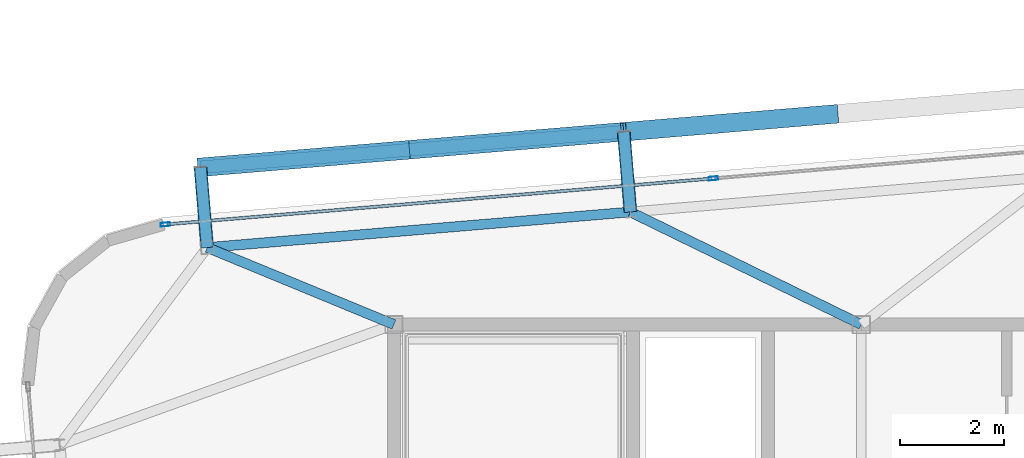
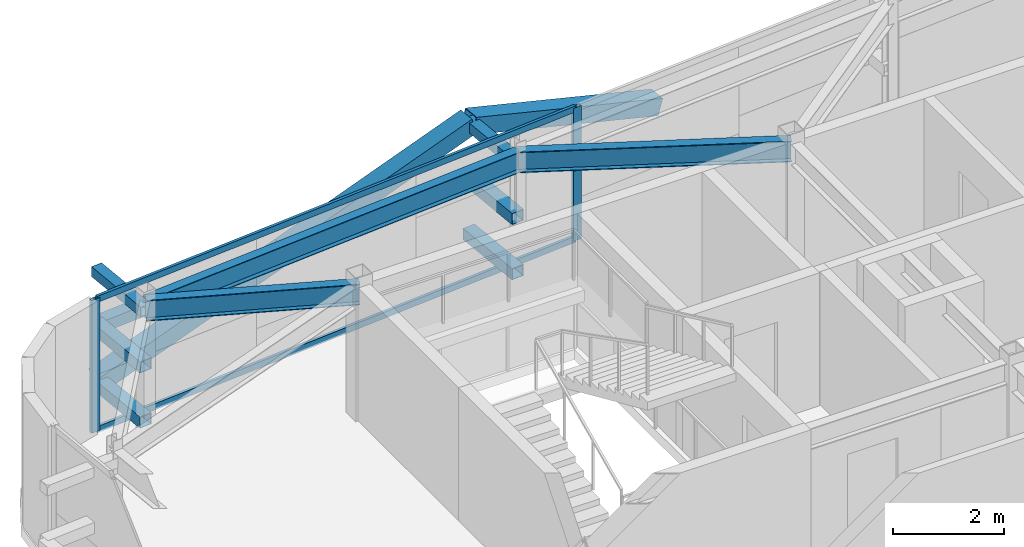
# One storey, part 21 of 39: 14 members, 3 beams, 1 element without a shape of its own.
"""IFC4 building model written with IfcOpenShell, lengths in metres."""

from ifc_helpers import new_model, si_unit, direction, frame, origin, origin_2d, place, context, subcontext, project, spatial, hollow_rectangle, i_section, extrude, source, transform, mapped, material, layer, layer_set, material_profile, profile_set, type_object, element, aggregate, save


model = new_model("IFC4")

# Units and contexts
model_context = context("Model", 3, precision=1e-05, world=origin(), true_north=direction((0.0, 1.0)))
body_context = subcontext(model_context, "Body", "Model", "MODEL_VIEW")
ifc_project = project(units=[si_unit("LENGTHUNIT", "METRE"), si_unit("AREAUNIT", "SQUARE_METRE"), si_unit("VOLUMEUNIT", "CUBIC_METRE"), si_unit("PLANEANGLEUNIT", "RADIAN"), si_unit("MASSUNIT", "GRAM", prefix="KILO")], contexts=[model_context])

# Site, building, storey
site_placement = place(None, origin())
site = spatial("IfcSite", under=ifc_project, at=site_placement, CompositionType="ELEMENT")
building_placement = place(site_placement, origin())
building = spatial("IfcBuilding", under=site, at=building_placement, Name="Taldren Reach Tower", CompositionType="ELEMENT")
storey_placement = place(building_placement, frame((0.0, 0.0, 178.85009765625)))
storey = spatial("IfcBuildingStorey", under=building, at=storey_placement, Name="L54", CompositionType="ELEMENT", Elevation=178.85009765625)

# Members
ifc_material_1 = material(Name="Steel Gr 350 (C350L0)", Category="steel")
ifc_material_profile_1 = material_profile(ifc_material_1, hollow_rectangle(XDim=0.25, YDim=0.25, WallThickness=0.010009765625, at=origin_2d()), Name="250x250x10.0SHS")
ifc_profile_set_1 = profile_set([ifc_material_profile_1], Name="Steel Gr 350 (C350L0)")
member_type_1 = type_object("IfcMemberType", Name="MB-POST250", PredefinedType="POST", material=ifc_profile_set_1)
shared_shape_1 = source(origin(), body_context, "Body", "SweptSolid", [
    extrude(hollow_rectangle(XDim=0.25, YDim=0.25, WallThickness=0.010009765625, at=origin_2d()), origin(), (0.0, 0.0, 1.0), 1.5498046875),
])
for number, where, z_axis, x_axis, name in (
    (1, (15.40380859375, 33.483642578125, 0.219970703125), (-0.083645141657, 0.996495604746, 0.0), (-0.996495604746, -0.083645141657, 0.0), "Exoskeleton base diaphragm tie strut B4-N1 L54"),
    (2, (15.40380859375, 33.483642578125, 1.434814453125), (-0.083645141657, 0.996495604746, 0.0), (-0.996495604746, -0.083645141657, 0.0), "Exoskeleton mid-tier diaphragm tie B4-N1 L54"),
):
    element("IfcMember", number, at=place(storey_placement, frame(where, z_axis=z_axis, x_axis=x_axis)), inside=storey, type_object=member_type_1, Name=name, PredefinedType="POST", context=body_context, shape_type="MappedRepresentation", body=[
        mapped(shared_shape_1, transform((0.0, 0.0, 0.0), scale=1.0)),
    ])
shared_shape_2 = source(origin(), body_context, "Body", "SweptSolid", [
    extrude(hollow_rectangle(XDim=0.25, YDim=0.25, WallThickness=0.010009765625, at=origin_2d()), origin(), (0.0, 0.0, 1.0), 1.550048828125),
])
for number, where, z_axis, x_axis, name in (
    (3, (23.55517578125, 34.16796875, 0.219970703125), (-0.083788408178, 0.996483568683, 0.0), (-0.996483568683, -0.083788408178, 0.0), "Exoskeleton base diaphragm tie strut B4-N2 L54"),
    (4, (23.55517578125, 34.16796875, 1.434814453125), (-0.083788408178, 0.996483568683, 0.0), (-0.996483568683, -0.083788408178, 0.0), "Exoskeleton mid-tier diaphragm tie B4-N2 L54"),
):
    element("IfcMember", number, at=place(storey_placement, frame(where, z_axis=z_axis, x_axis=x_axis)), inside=storey, type_object=member_type_1, Name=name, PredefinedType="POST", context=body_context, shape_type="MappedRepresentation", body=[
        mapped(shared_shape_2, transform((0.0, 0.0, 0.0), scale=1.0)),
    ])

# Beams
ifc_material_2 = material(Name="Steel Gr 350 (350PLUS)", Category="steel")
ifc_material_profile_2 = material_profile(ifc_material_2, i_section(OverallWidth=0.18994140625, OverallDepth=0.4541015625, WebThickness=0.008544921875, FlangeThickness=0.0126953125, at=origin_2d()), Name="460UB67.1")
ifc_profile_set_2 = profile_set([ifc_material_profile_2], Name="Steel Gr 350 (350PLUS)")
beam_type_1 = type_object("IfcBeamType", Name="SP-UB460B", PredefinedType="SPANDREL", material=ifc_profile_set_2)
shared_shape_3 = source(origin(), body_context, "Body", "SweptSolid", [
    extrude(i_section(OverallWidth=0.18994140625, OverallDepth=0.4541015625, WebThickness=0.008544921875, FlangeThickness=0.0126953125, at=origin_2d()), origin(), (0.0, 0.0, 1.0), 8.179931640625),
])
beam_1_placement = place(storey_placement, frame((23.55517578125, 34.16796875, 2.702880859375), z_axis=(-0.996494523218, -0.083658025296, 0.0), x_axis=(0.083658025296, -0.996494523218, 0.0)))
element("IfcBeam", 5, at=beam_1_placement, inside=storey, type_object=beam_type_1, Name="Perimeter spandrel B4 N2-N1 L54", PredefinedType="SPANDREL", context=body_context, shape_type="MappedRepresentation", body=[
    mapped(shared_shape_3, transform((0.0, 0.0, 0.0), scale=1.0)),
])
ifc_material_profile_3 = material_profile(ifc_material_2, i_section(OverallWidth=0.19091796875, OverallDepth=0.4599609375, WebThickness=0.010009765625, FlangeThickness=0.01611328125, at=origin_2d()), Name="460UB82.1")
ifc_profile_set_3 = profile_set([ifc_material_profile_3], Name="Steel Gr 350 (350PLUS)")
beam_type_2 = type_object("IfcBeamType", Name="BM-UB460A", PredefinedType="BEAM", material=ifc_profile_set_3)
shared_shape_4 = source(origin(), body_context, "Body", "SweptSolid", [
    extrude(i_section(OverallWidth=0.19091796875, OverallDepth=0.4599609375, WebThickness=0.010009765625, FlangeThickness=0.01611328125, at=origin_2d()), origin(), (0.0, 0.0, 1.0), 4.9453125),
])
beam_2_placement = place(storey_placement, frame((28.0, 32.0, 2.699951171875), z_axis=(-0.898787423235, 0.438384725823, 0.0), x_axis=(-0.438384725823, -0.898787423235, 0.0)))
element("IfcBeam", 6, at=beam_2_placement, inside=storey, type_object=beam_type_2, Name="Primary floor girder B4-N2 L54", PredefinedType="BEAM", context=body_context, shape_type="MappedRepresentation", body=[
    mapped(shared_shape_4, transform((0.0, 0.0, 0.0), scale=1.0)),
])
shared_shape_5 = source(origin(), body_context, "Body", "SweptSolid", [
    extrude(i_section(OverallWidth=0.19091796875, OverallDepth=0.4599609375, WebThickness=0.010009765625, FlangeThickness=0.01611328125, at=origin_2d()), origin(), (0.0, 0.0, 1.0), 3.89013671875),
])
beam_3_placement = place(storey_placement, frame((19.0, 32.0, 2.699951171875), z_axis=(-0.924419242179, 0.381377850287, 0.0), x_axis=(-0.381377850287, -0.924419242179, 0.0)))
element("IfcBeam", 7, at=beam_3_placement, inside=storey, type_object=beam_type_2, Name="Primary floor girder B4-N1 L54", PredefinedType="BEAM", context=body_context, shape_type="MappedRepresentation", body=[
    mapped(shared_shape_5, transform((0.0, 0.0, 0.0), scale=1.0)),
])

# Members
ifc_material_3 = material(Name="Steel Gr 450 (C450L0)", Category="steel")
ifc_material_profile_4 = material_profile(ifc_material_3, hollow_rectangle(XDim=0.219970703125, YDim=0.219970703125, WallThickness=0.00830078125, at=origin_2d()), Name="220x220x8.2SHS")
ifc_profile_set_4 = profile_set([ifc_material_profile_4], Name="Steel Gr 450 (C450L0)")
member_type_2 = type_object("IfcMemberType", Name="MB-TIE219", PredefinedType="STRUT", material=ifc_profile_set_4)
shared_shape_6 = source(origin(), body_context, "Body", "SweptSolid", [
    extrude(hollow_rectangle(XDim=0.219970703125, YDim=0.219970703125, WallThickness=0.00830078125, at=origin_2d()), origin(), (0.0, 0.0, 1.0), 1.5498046875),
])
member_1_placement = place(storey_placement, frame((15.40380859375, 33.483642578125, 2.64990234375), z_axis=(-0.083645141657, 0.996495604746, 0.0), x_axis=(-0.996495604746, -0.083645141657, 0.0)))
element("IfcMember", 8, at=member_1_placement, inside=storey, type_object=member_type_2, Name="Exoskeleton diaphragm tie strut B4-N1 L54", PredefinedType="STRUT", context=body_context, shape_type="MappedRepresentation", body=[
    mapped(shared_shape_6, transform((0.0, 0.0, 0.0), scale=1.0)),
])
shared_shape_7 = source(origin(), body_context, "Body", "SweptSolid", [
    extrude(hollow_rectangle(XDim=0.219970703125, YDim=0.219970703125, WallThickness=0.00830078125, at=origin_2d()), origin(), (0.0, 0.0, 1.0), 1.550048828125),
])
member_2_placement = place(storey_placement, frame((23.55517578125, 34.16796875, 2.64990234375), z_axis=(-0.083788408178, 0.996483568683, 0.0), x_axis=(-0.996483568683, -0.083788408178, 0.0)))
element("IfcMember", 9, at=member_2_placement, inside=storey, type_object=member_type_2, Name="Exoskeleton diaphragm tie strut B4-N2 L54", PredefinedType="STRUT", context=body_context, shape_type="MappedRepresentation", body=[
    mapped(shared_shape_7, transform((0.0, 0.0, 0.0), scale=1.0)),
])
shared_shape_8 = source(origin(), body_context, "Body", "SweptSolid", [
    extrude(hollow_rectangle(XDim=0.25, YDim=0.25, WallThickness=0.010009765625, at=origin_2d()), origin(), (0.0, 0.0, 1.0), 8.179931640625),
])
member_3_placement = place(storey_placement, frame((15.274169921875, 35.028076171875, 1.434814453125), z_axis=(0.99649182565, 0.08369015123, 0.0), x_axis=(-0.08369015123, 0.99649182565, 0.0)))
element("IfcMember", 10, at=member_3_placement, inside=storey, type_object=member_type_1, Name="Exoskeleton mid-height ring chord B4-N1 L54", PredefinedType="POST", context=body_context, shape_type="MappedRepresentation", body=[
    mapped(shared_shape_8, transform((0.0, 0.0, 0.0), scale=1.0)),
])
ifc_material_profile_5 = material_profile(ifc_material_3, hollow_rectangle(XDim=0.360107421875, YDim=0.360107421875, WallThickness=0.0126953125, at=origin_2d()), Name="360x360x12.7SHS")
ifc_profile_set_5 = profile_set([ifc_material_profile_5], Name="Steel Gr 450 (C450L0)")
member_type_3 = type_object("IfcMemberType", Name="MB-EXO356", PredefinedType="BRACE", material=ifc_profile_set_5)
shared_shape_9 = source(origin(), body_context, "Body", "SweptSolid", [
    extrude(hollow_rectangle(XDim=0.360107421875, YDim=0.360107421875, WallThickness=0.0126953125, at=origin_2d()), origin(), (0.0, 0.0, 1.0), 4.2666015625),
])
for number, where, z_axis, x_axis, name in (
    (11, (15.274169921875, 35.028076171875, 0.219970703125), (0.955244723646, 0.080223619417, 0.284730906006), (-0.083687662192, 0.996492034688, 0.0), "Exoskeleton Diagrid Brace B4-N1 L54"),
    (12, (27.5009765625, 36.054931640625, 1.434814453125), (-0.955229159097, -0.080222312271, 0.284783486572), (0.083687662192, -0.996492034688, 0.0), "Exoskeleton Diagrid Brace B4-N2 L54"),
):
    element("IfcMember", number, at=place(storey_placement, frame(where, z_axis=z_axis, x_axis=x_axis)), inside=storey, type_object=member_type_3, Name=name, PredefinedType="BRACE", context=body_context, shape_type="MappedRepresentation", body=[
        mapped(shared_shape_9, transform((0.0, 0.0, 0.0), scale=1.0)),
    ])
shared_shape_10 = source(origin(), body_context, "Body", "SweptSolid", [
    extrude(hollow_rectangle(XDim=0.360107421875, YDim=0.360107421875, WallThickness=0.0126953125, at=origin_2d()), origin(), (0.0, 0.0, 1.0), 4.266357421875),
])
member_4_placement = place(storey_placement, frame((19.349853515625, 35.370361328125, 1.434814453125), z_axis=(0.955224149813, 0.080226697301, 0.284799053113), x_axis=(-0.083692640416, 0.996491616593, 0.0)))
element("IfcMember", 13, at=member_4_placement, inside=storey, type_object=member_type_3, Name="Exoskeleton Diagrid Brace B4-N1 L54", PredefinedType="BRACE", context=body_context, shape_type="MappedRepresentation", body=[
    mapped(shared_shape_10, transform((0.0, 0.0, 0.0), scale=1.0)),
])

# Curtain wall, members
ifc_material_4 = material(Name="Aluminium and Low-E Glass Unitised System", Category="aluminium")
ifc_layer = layer(ifc_material_4, 0.159912109375)
ifc_layer_set = layer_set([ifc_layer], Name="Aluminium and Low-E Glass Unitised System")
curtain_wall_type = type_object("IfcCurtainWallType", Name="CW-SYS-5", PredefinedType="NOTDEFINED", material=ifc_layer_set)
curtain_wall_placement = place(storey_placement, origin())
curtain_wall = element("IfcCurtainWall", 14, at=curtain_wall_placement, inside=storey, type_object=curtain_wall_type, Name="Unitised curtain wall CW-L54-N", PredefinedType="NOTDEFINED")
ifc_material_5 = material(Name="Anodised Aluminium 6063-T6", Category="aluminium")
ifc_material_profile_6 = material_profile(ifc_material_5, hollow_rectangle(XDim=0.070068359375, YDim=0.179931640625, WallThickness=0.00390625, at=origin_2d()), Name="ALU-180x70x4RHS")
ifc_profile_set_6 = profile_set([ifc_material_profile_6], Name="Anodised Aluminium 6063-T6")
member_type_4 = type_object("IfcMemberType", Name="CW-MUL-180", PredefinedType="MULLION", material=ifc_profile_set_6)
shared_shape_11 = source(origin(), body_context, "Body", "SweptSolid", [
    extrude(hollow_rectangle(XDim=0.070068359375, YDim=0.179931640625, WallThickness=0.00390625, at=origin_2d()), origin(), (0.0, 0.0, 1.0), 2.929931640625),
])
member_5_placement = place(storey_placement, frame((25.151611328125, 34.81396484375, 0.0), z_axis=(0.0, 0.0, 1.0), x_axis=(0.083677875247, -0.99649285657, 0.0)))
member_5 = element("IfcMember", 15, at=member_5_placement, type_object=member_type_4, Name="CW-5 mullion 4", PredefinedType="MULLION", context=body_context, shape_type="MappedRepresentation", body=[
    mapped(shared_shape_11, transform((0.0, 0.0, 0.0), scale=1.0)),
])
member_6_placement = place(storey_placement, frame((14.598876953125, 33.927734375, 0.0), z_axis=(0.0, 0.0, 1.0), x_axis=(0.083677875247, -0.99649285657, 0.0)))
member_6 = element("IfcMember", 16, at=member_6_placement, type_object=member_type_4, Name="CW-5 mullion 5", PredefinedType="MULLION", context=body_context, shape_type="MappedRepresentation", body=[
    mapped(shared_shape_11, transform((0.0, 0.0, 0.0), scale=1.0)),
])
ifc_material_profile_7 = material_profile(ifc_material_5, hollow_rectangle(XDim=0.06005859375, YDim=0.135009765625, WallThickness=0.00341796875, at=origin_2d()), Name="ALU-135x60x3.5RHS")
ifc_profile_set_7 = profile_set([ifc_material_profile_7], Name="Anodised Aluminium 6063-T6")
member_type_5 = type_object("IfcMemberType", Name="CW-TRN-150", PredefinedType="USERDEFINED", material=ifc_profile_set_7)
shared_shape_12 = source(origin(), body_context, "Body", "SweptSolid", [
    extrude(hollow_rectangle(XDim=0.06005859375, YDim=0.135009765625, WallThickness=0.00341796875, at=origin_2d()), origin(), (0.0, 0.0, 1.0), 10.519775390625),
])
member_7_placement = place(storey_placement, frame((25.11669921875, 34.81103515625, 0.02978515625), z_axis=(-0.996492094046, -0.083686955404, 0.0), x_axis=(0.083686955404, -0.996492094046, 0.0)))
member_7 = element("IfcMember", 17, at=member_7_placement, type_object=member_type_5, Name="CW-5 transom 4.1", ObjectType="TRANSOM", PredefinedType="USERDEFINED", context=body_context, shape_type="MappedRepresentation", body=[
    mapped(shared_shape_12, transform((0.0, 0.0, 0.0), scale=1.0)),
])
member_8_placement = place(storey_placement, frame((25.11669921875, 34.81103515625, 2.89990234375), z_axis=(-0.996492094046, -0.083686955404, 0.0), x_axis=(0.083686955404, -0.996492094046, 0.0)))
member_8 = element("IfcMember", 18, at=member_8_placement, type_object=member_type_5, Name="CW-5 transom 4.2", ObjectType="TRANSOM", PredefinedType="USERDEFINED", context=body_context, shape_type="MappedRepresentation", body=[
    mapped(shared_shape_12, transform((0.0, 0.0, 0.0), scale=1.0)),
])
aggregate(curtain_wall, [member_5, member_6, member_7, member_8])

save(model, "model.ifc")
